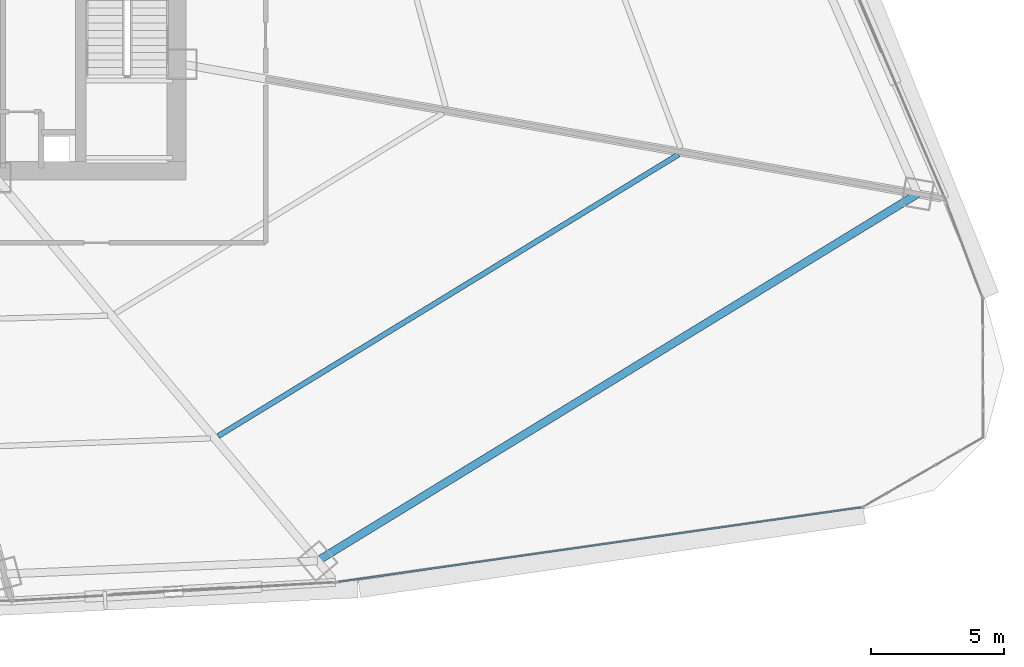
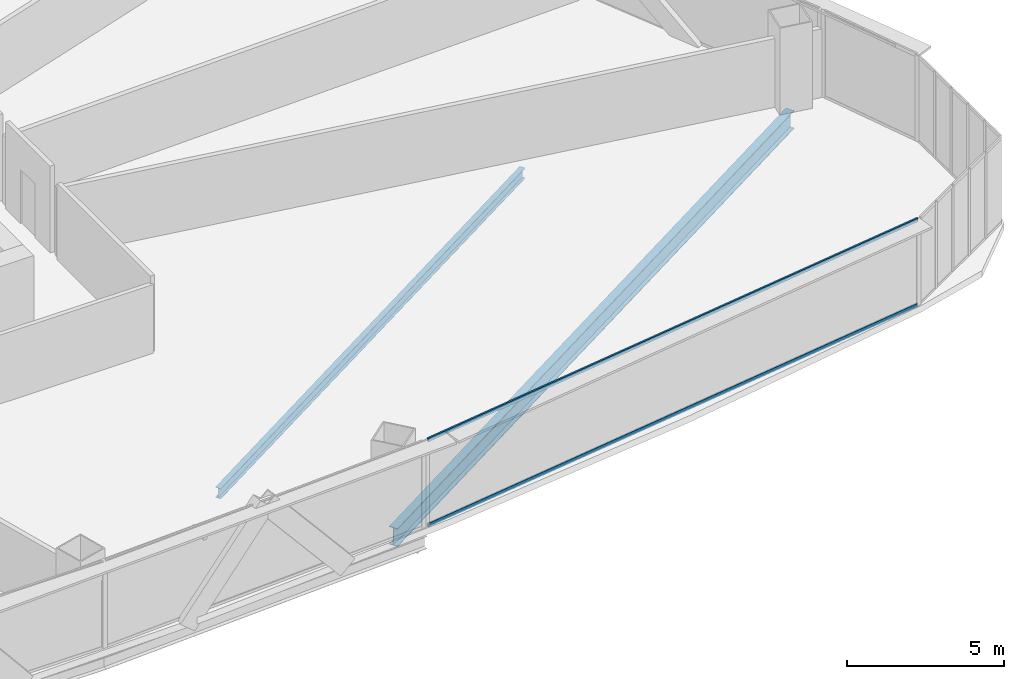
# One storey, part 21 of 40: 2 beams, 2 members, 1 element without a shape of its own.
"""IFC4 building model written with IfcOpenShell, lengths in metres."""

from ifc_helpers import new_model, si_unit, direction, frame, origin, origin_2d, place, context, subcontext, project, spatial, hollow_rectangle, i_section, extrude, source, transform, mapped, material, layer, layer_set, material_profile, profile_set, type_object, element, aggregate, save


model = new_model("IFC4")

# Units and contexts
model_context = context("Model", 3, precision=1e-05, world=origin(), true_north=direction((0.0, 1.0)))
body_context = subcontext(model_context, "Body", "Model", "MODEL_VIEW")
ifc_project = project(units=[si_unit("LENGTHUNIT", "METRE"), si_unit("AREAUNIT", "SQUARE_METRE"), si_unit("VOLUMEUNIT", "CUBIC_METRE"), si_unit("PLANEANGLEUNIT", "RADIAN"), si_unit("MASSUNIT", "GRAM", prefix="KILO"), si_unit("THERMODYNAMICTEMPERATUREUNIT", "KELVIN"), si_unit("POWERUNIT", "WATT")], contexts=[model_context])

# Site, building, storey
site_placement = place(None, origin())
site = spatial("IfcSite", under=ifc_project, at=site_placement, CompositionType="ELEMENT")
building_placement = place(site_placement, origin())
building = spatial("IfcBuilding", under=site, at=building_placement, Name="Yunzhuo Pagoda Commons", CompositionType="ELEMENT")
storey_placement = place(building_placement, frame((0.0, 0.0, 66.699951171875)))
storey = spatial("IfcBuildingStorey", under=building, at=storey_placement, Name="L17", CompositionType="ELEMENT", Elevation=66.699951171875)

# Beams
ifc_material_1 = material(Name="Structural steel Q355B", Category="steel")
ifc_material_profile_1 = material_profile(ifc_material_1, i_section(OverallWidth=0.300048828125, OverallDepth=0.699951171875, WebThickness=0.012939453125, FlangeThickness=0.02392578125, at=origin_2d()), Name="Structural steel Q355B")
ifc_profile_set_1 = profile_set([ifc_material_profile_1], Name="Structural steel Q355B")
beam_type_1 = type_object("IfcBeamType", Name="B-RG1 Beam HN 700x300x13x24", PredefinedType="BEAM", material=ifc_profile_set_1)
shared_shape_1 = source(origin(), body_context, "Body", "SweptSolid", [
    extrude(i_section(OverallWidth=0.300048828125, OverallDepth=0.699951171875, WebThickness=0.012939453125, FlangeThickness=0.02392578125, at=origin_2d()), origin(), (0.0, 0.0, 1.0), 26.432373046875),
])
beam_1_placement = place(storey_placement, frame((65.5, 12.844482421875, -0.60986328125), z_axis=(0.853031728928, 0.521859051318, 0.0), x_axis=(-0.521859051318, 0.853031728928, 0.0)))
element("IfcBeam", 1, at=beam_1_placement, inside=storey, type_object=beam_type_1, Name="L17 column-ring beam 4", PredefinedType="BEAM", context=body_context, shape_type="MappedRepresentation", body=[
    mapped(shared_shape_1, transform((0.0, 0.0, 0.0), scale=1.0)),
])
ifc_material_profile_2 = material_profile(ifc_material_1, i_section(OverallWidth=0.199951171875, OverallDepth=0.39990234375, WebThickness=0.008056640625, FlangeThickness=0.012939453125, at=origin_2d()), Name="Structural steel Q355B")
ifc_profile_set_2 = profile_set([ifc_material_profile_2], Name="Structural steel Q355B")
beam_type_2 = type_object("IfcBeamType", Name="B-JS1 Joist HN 400x200x8x13", PredefinedType="JOIST", material=ifc_profile_set_2)
shared_shape_2 = source(origin(), body_context, "Body", "SweptSolid", [
    extrude(i_section(OverallWidth=0.199951171875, OverallDepth=0.39990234375, WebThickness=0.008056640625, FlangeThickness=0.012939453125, at=origin_2d()), origin(), (0.0, 0.0, 1.0), 20.275634765625),
])
beam_2_placement = place(storey_placement, frame((61.767578125, 17.537109375, -0.4599609375), z_axis=(0.853102898066, 0.521742700295, 0.0), x_axis=(-0.521742700295, 0.853102898066, 0.0)))
element("IfcBeam", 2, at=beam_2_placement, inside=storey, type_object=beam_type_2, Name="L17 composite ring joist 2.4", PredefinedType="JOIST", context=body_context, shape_type="MappedRepresentation", body=[
    mapped(shared_shape_2, transform((0.0, 0.0, 0.0), scale=1.0)),
])

# Curtain wall, members
ifc_material_2 = material(Name="Anodized aluminium 6063-T6", Category="aluminium")
ifc_layer = layer(ifc_material_2, 0.1650390625)
ifc_layer_set = layer_set([ifc_layer], Name="Anodized aluminium 6063-T6")
curtain_wall_type = type_object("IfcCurtainWallType", Name="CW-LOW Low-Zone Ribbon Curtain Wall", PredefinedType="NOTDEFINED", material=ifc_layer_set)
curtain_wall_placement = place(storey_placement, origin())
curtain_wall = element("IfcCurtainWall", 3, at=curtain_wall_placement, inside=storey, type_object=curtain_wall_type, Name="L17 curtain wall CW-L17-F1B5", PredefinedType="NOTDEFINED")
ifc_material_profile_3 = material_profile(ifc_material_2, hollow_rectangle(XDim=0.06005859375, YDim=0.139892578125, WallThickness=0.00341796875, at=origin_2d()), Name="Anodized aluminium 6063-T6")
ifc_profile_set_3 = profile_set([ifc_material_profile_3], Name="Anodized aluminium 6063-T6")
member_type = type_object("IfcMemberType", Name="CW-LOW-T Transom RHS 140x60x3.5", PredefinedType="USERDEFINED", material=ifc_profile_set_3)
shared_shape_3 = source(origin(), body_context, "Body", "SweptSolid", [
    extrude(hollow_rectangle(XDim=0.06005859375, YDim=0.139892578125, WallThickness=0.00341796875, at=origin_2d()), origin(), (0.0, 0.0, 1.0), 19.814697265625),
])
member_1_placement = place(storey_placement, frame((66.3134765625, 12.06005859375, 0.0302734375), z_axis=(0.989991588028, 0.141126381775, 0.0), x_axis=(-0.141126381775, 0.989991588028, 0.0)))
member_1 = element("IfcMember", 4, at=member_1_placement, type_object=member_type, Name="CW transom 1.1", ObjectType="TRANSOM", PredefinedType="USERDEFINED", context=body_context, shape_type="MappedRepresentation", body=[
    mapped(shared_shape_3, transform((0.0, 0.0, 0.0), scale=1.0)),
])
member_2_placement = place(storey_placement, frame((66.3134765625, 12.06005859375, 3.340087890625), z_axis=(0.989991588028, 0.141126381775, 0.0), x_axis=(-0.141126381775, 0.989991588028, 0.0)))
member_2 = element("IfcMember", 5, at=member_2_placement, type_object=member_type, Name="CW transom 1.2", ObjectType="TRANSOM", PredefinedType="USERDEFINED", context=body_context, shape_type="MappedRepresentation", body=[
    mapped(shared_shape_3, transform((0.0, 0.0, 0.0), scale=1.0)),
])
aggregate(curtain_wall, [member_1, member_2])

save(model, "model.ifc")
